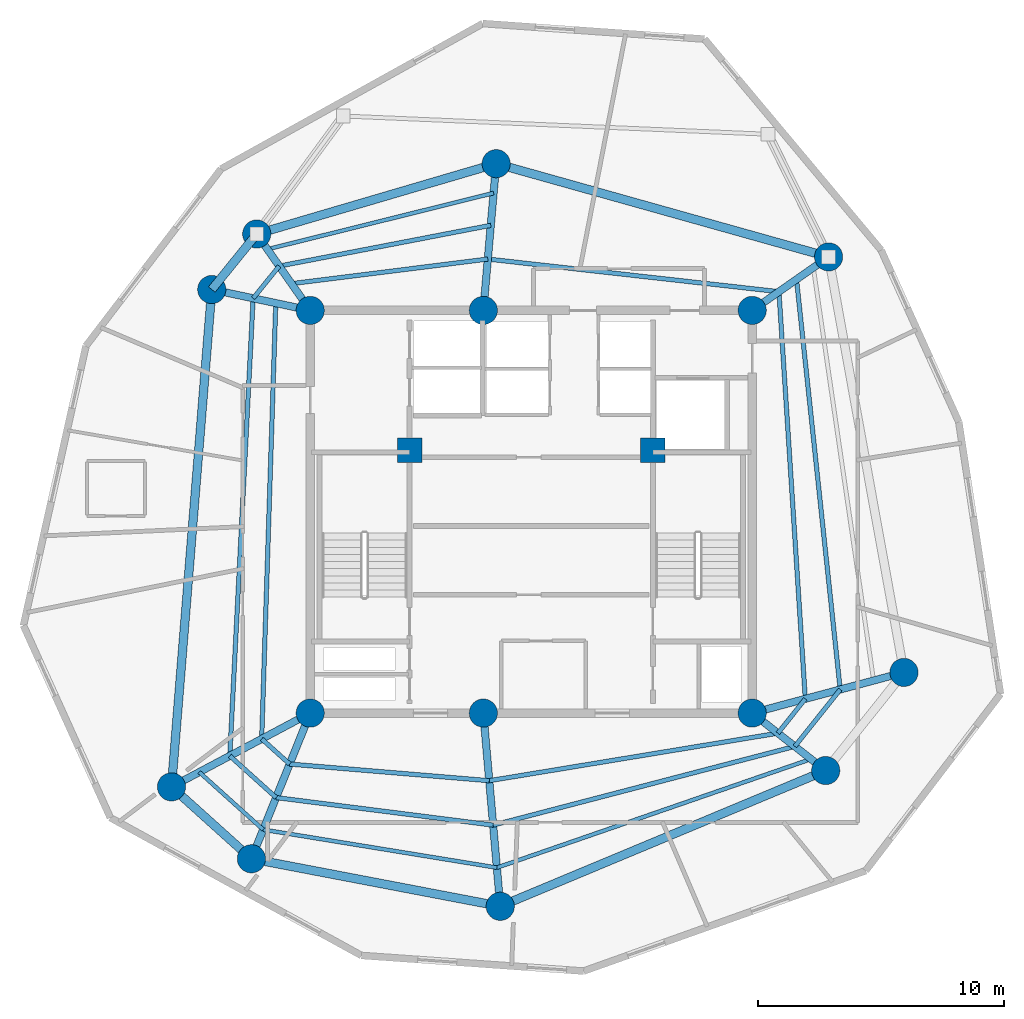
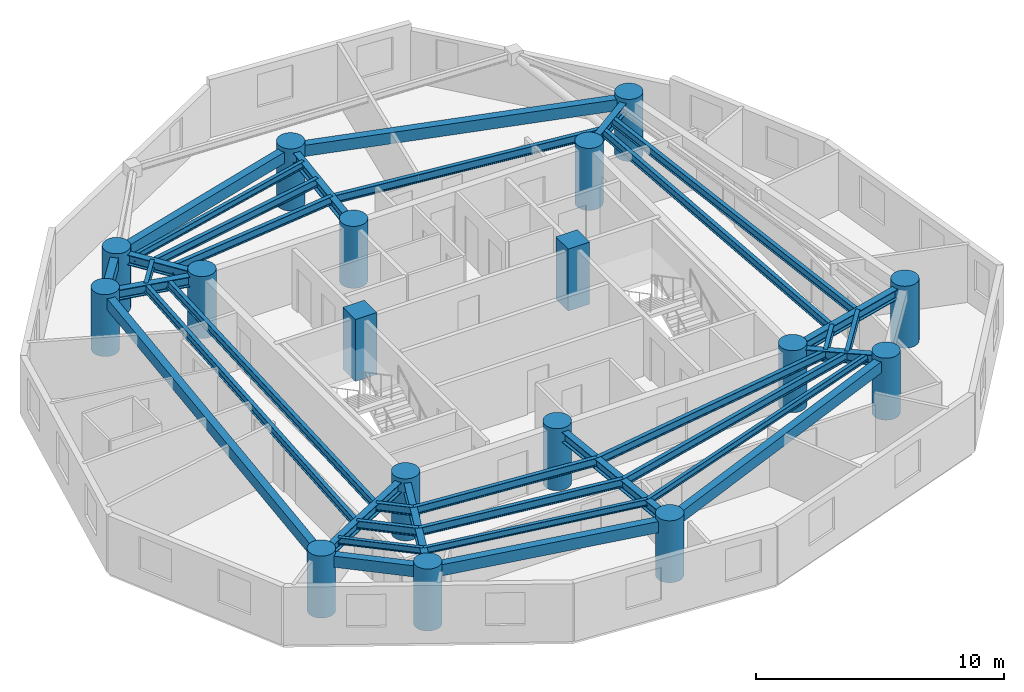
# One storey, part 1 of 7: 36 beams, 17 columns.
"""IFC4 building model written with IfcOpenShell, lengths in metres."""

from ifc_helpers import new_model, si_unit, direction, frame, origin, origin_with_axes, origin_2d, place, context, subcontext, project, spatial, rectangle, circle, i_section, extrude, source, transform, mapped, material, material_profile, profile_set, type_object, element, save


model = new_model("IFC4")

# Units and contexts
model_context = context("Model", 3, precision=1e-05, world=origin(), true_north=direction((0.0, 1.0)))
body_context = subcontext(model_context, "Body", "Model", "MODEL_VIEW")
ifc_project = project(units=[si_unit("LENGTHUNIT", "METRE"), si_unit("AREAUNIT", "SQUARE_METRE"), si_unit("VOLUMEUNIT", "CUBIC_METRE"), si_unit("PLANEANGLEUNIT", "RADIAN"), si_unit("MASSUNIT", "GRAM", prefix="KILO")], contexts=[model_context])

# Site, building, storey
site_placement = place(None, origin())
site = spatial("IfcSite", under=ifc_project, at=site_placement, CompositionType="ELEMENT")
building_placement = place(site_placement, origin())
building = spatial("IfcBuilding", under=site, at=building_placement, Name="Karkom Vertical University and Central Library", CompositionType="ELEMENT")
storey_placement = place(building_placement, frame((0.0, 0.0, 247.39990234375)))
storey = spatial("IfcBuildingStorey", under=building, at=storey_placement, Name="L73", CompositionType="ELEMENT", Elevation=247.39990234375)

# Columns
ifc_material_1 = material(Name="Concrete C50/60", Category="concrete")
ifc_material_profile_1 = material_profile(ifc_material_1, rectangle(XDim=1.0, YDim=1.0, at=origin_2d()), Name="RC-1000x1000")
ifc_profile_set_1 = profile_set([ifc_material_profile_1], Name="Concrete C50/60")
column_type_1 = type_object("IfcColumnType", Name="STR-COL-C-CC2", PredefinedType="COLUMN", material=ifc_profile_set_1)
shared_shape_1 = source(origin_with_axes(), body_context, "Body", "SweptSolid", [
    extrude(rectangle(XDim=1.0, YDim=1.0, at=origin_2d()), origin(), (0.0, 0.0, 1.0), 3.050048828125),
])
for number, where, z_axis, x_axis, name in (
    (1, (23.550048828125, 29.0, 0.0), (0.0, 0.0, 1.0), (1.0, 0.0, 0.0), "Level 73 Core Node Column CC-1"),
    (2, (33.449951171875, 29.0, 0.0), (0.0, 0.0, 1.0), (1.0, 0.0, 0.0), "Level 73 Core Node Column CC-2"),
):
    element("IfcColumn", number, at=place(storey_placement, frame(where, z_axis=z_axis, x_axis=x_axis)), inside=storey, type_object=column_type_1, Name=name, PredefinedType="COLUMN", context=body_context, shape_type="MappedRepresentation", body=[
        mapped(shared_shape_1, transform((0.0, 0.0, 0.0), scale=1.0)),
    ])
ifc_material_2 = material(Name="Concrete C45/55", Category="concrete")
ifc_material_profile_2 = material_profile(ifc_material_2, circle(Radius=0.574951171875, at=origin_2d()), Name="CFT-D1150")
ifc_profile_set_2 = profile_set([ifc_material_profile_2], Name="Concrete C45/55")
column_type_2 = type_object("IfcColumnType", Name="STR-COL-C-SC5", PredefinedType="COLUMN", material=ifc_profile_set_2)
shared_shape_2 = source(origin_with_axes(), body_context, "Body", "SweptSolid", [
    extrude(circle(Radius=0.574951171875, at=origin_2d()), origin(), (0.0, 0.0, 1.0), 3.050048828125),
])
for number, where, z_axis, x_axis, name in (
    (3, (19.5, 18.300048828125, 0.0), (0.0, 0.0, 1.0), (1.0, 0.0, 0.0), "Level 73 Spine Mega-Column SC-1"),
    (4, (26.550048828125, 18.300048828125, 0.0), (0.0, 0.0, 1.0), (1.0, 0.0, 0.0), "Level 73 Spine Mega-Column SC-2"),
    (5, (37.5, 18.300048828125, 0.0), (0.0, 0.0, 1.0), (1.0, 0.0, 0.0), "Level 73 Spine Mega-Column SC-3"),
    (6, (19.5, 34.699951171875, 0.0), (0.0, 0.0, 1.0), (1.0, 0.0, 0.0), "Level 73 Spine Mega-Column SC-4"),
    (7, (26.550048828125, 34.699951171875, 0.0), (0.0, 0.0, 1.0), (1.0, 0.0, 0.0), "Level 73 Spine Mega-Column SC-5"),
    (8, (37.5, 34.699951171875, 0.0), (0.0, 0.0, 1.0), (1.0, 0.0, 0.0), "Level 73 Spine Mega-Column SC-6"),
    (9, (43.681884765625, 19.9560546875, 0.0), (0.0, 0.0, 1.0), (1.0, 0.0, 0.0), "Level 73 Perimeter Mega-Column Z4-PC1"),
    (10, (40.613037109375, 36.8798828125, 0.0), (0.0, 0.0, 1.0), (1.0, 0.0, 0.0), "Level 73 Perimeter Mega-Column Z4-PC2"),
    (11, (27.072998046875, 40.677001953125, 0.0), (0.0, 0.0, 1.0), (1.0, 0.0, 0.0), "Level 73 Perimeter Mega-Column Z4-PC3"),
    (12, (17.320068359375, 37.81298828125, 0.0), (0.0, 0.0, 1.0), (1.0, 0.0, 0.0), "Level 73 Perimeter Mega-Column Z4-PC4"),
    (13, (15.489990234375, 35.552001953125, 0.0), (0.0, 0.0, 1.0), (1.0, 0.0, 0.0), "Level 73 Perimeter Mega-Column Z4-PC5"),
    (14, (13.84912109375, 15.294921875, 0.0), (0.0, 0.0, 1.0), (1.0, 0.0, 0.0), "Level 73 Perimeter Mega-Column Z4-PC6"),
    (15, (17.10302734375, 12.365966796875, 0.0), (0.0, 0.0, 1.0), (1.0, 0.0, 0.0), "Level 73 Perimeter Mega-Column Z4-PC7"),
    (16, (27.239013671875, 10.429931640625, 0.0), (0.0, 0.0, 1.0), (1.0, 0.0, 0.0), "Level 73 Perimeter Mega-Column Z4-PC8"),
    (17, (40.493896484375, 15.9599609375, 0.0), (0.0, 0.0, 1.0), (1.0, 0.0, 0.0), "Level 73 Perimeter Mega-Column Z4-PC9"),
):
    element("IfcColumn", number, at=place(storey_placement, frame(where, z_axis=z_axis, x_axis=x_axis)), inside=storey, type_object=column_type_2, Name=name, PredefinedType="COLUMN", context=body_context, shape_type="MappedRepresentation", body=[
        mapped(shared_shape_2, transform((0.0, 0.0, 0.0), scale=1.0)),
    ])

# Beams
ifc_material_3 = material(Name="Precast concrete C45/55", Category="concrete")
ifc_material_profile_3 = material_profile(ifc_material_3, rectangle(XDim=0.35009765625, YDim=0.550048828125, at=origin_2d()), Name="SPB-350x550")
ifc_profile_set_3 = profile_set([ifc_material_profile_3], Name="Precast concrete C45/55")
beam_type_1 = type_object("IfcBeamType", Name="STR-BM-SP-2", PredefinedType="SPANDREL", material=ifc_profile_set_3)
shared_shape_3 = source(origin_with_axes(), body_context, "Body", "SweptSolid", [
    extrude(rectangle(XDim=0.35009765625, YDim=0.550048828125, at=origin_2d()), origin(), (0.0, 0.0, 1.0), 14.0625),
])
beam_1_placement = place(storey_placement, frame((40.613037109375, 36.8798828125, 2.5751953125), z_axis=(-0.962854853531, 0.270019501207, 0.0), x_axis=(-0.270019501207, -0.962854853531, 0.0)))
element("IfcBeam", 18, at=beam_1_placement, inside=storey, type_object=beam_type_1, Name="Level 73 Perimeter Spandrel Beam 02", PredefinedType="SPANDREL", context=body_context, shape_type="MappedRepresentation", body=[
    mapped(shared_shape_3, transform((0.0, 0.0, 0.0), scale=1.0)),
])
shared_shape_4 = source(origin_with_axes(), body_context, "Body", "SweptSolid", [
    extrude(rectangle(XDim=0.35009765625, YDim=0.550048828125, at=origin_2d()), origin(), (0.0, 0.0, 1.0), 10.164794921875),
])
beam_2_placement = place(storey_placement, frame((27.072998046875, 40.677001953125, 2.5751953125), z_axis=(-0.959485124536, -0.281759286971, 0.0), x_axis=(0.281759286971, -0.959485124536, 0.0)))
element("IfcBeam", 19, at=beam_2_placement, inside=storey, type_object=beam_type_1, Name="Level 73 Perimeter Spandrel Beam 03", PredefinedType="SPANDREL", context=body_context, shape_type="MappedRepresentation", body=[
    mapped(shared_shape_4, transform((0.0, 0.0, 0.0), scale=1.0)),
])
shared_shape_5 = source(origin_with_axes(), body_context, "Body", "SweptSolid", [
    extrude(rectangle(XDim=0.35009765625, YDim=0.550048828125, at=origin_2d()), origin(), (0.0, 0.0, 1.0), 2.908935546875),
])
beam_3_placement = place(storey_placement, frame((17.320068359375, 37.81298828125, 2.5751953125), z_axis=(-0.629147523747, -0.777285914811, 0.0), x_axis=(0.777285914811, -0.629147523747, 0.0)))
element("IfcBeam", 20, at=beam_3_placement, inside=storey, type_object=beam_type_1, Name="Level 73 Perimeter Spandrel Beam 04", PredefinedType="SPANDREL", context=body_context, shape_type="MappedRepresentation", body=[
    mapped(shared_shape_5, transform((0.0, 0.0, 0.0), scale=1.0)),
])
shared_shape_6 = source(origin_with_axes(), body_context, "Body", "SweptSolid", [
    extrude(rectangle(XDim=0.35009765625, YDim=0.550048828125, at=origin_2d()), origin(), (0.0, 0.0, 1.0), 20.323486328125),
])
beam_4_placement = place(storey_placement, frame((15.489990234375, 35.552001953125, 2.5751953125), z_axis=(-0.080737811681, -0.996735373991, 0.0), x_axis=(0.996735373991, -0.080737811681, 0.0)))
element("IfcBeam", 21, at=beam_4_placement, inside=storey, type_object=beam_type_1, Name="Level 73 Perimeter Spandrel Beam 05", PredefinedType="SPANDREL", context=body_context, shape_type="MappedRepresentation", body=[
    mapped(shared_shape_6, transform((0.0, 0.0, 0.0), scale=1.0)),
])
shared_shape_7 = source(origin_with_axes(), body_context, "Body", "SweptSolid", [
    extrude(rectangle(XDim=0.35009765625, YDim=0.550048828125, at=origin_2d()), origin(), (0.0, 0.0, 1.0), 4.3779296875),
])
beam_5_placement = place(storey_placement, frame((13.84912109375, 15.294921875, 2.5751953125), z_axis=(0.743244232405, -0.669020187287, 0.0), x_axis=(0.669020187287, 0.743244232405, 0.0)))
element("IfcBeam", 22, at=beam_5_placement, inside=storey, type_object=beam_type_1, Name="Level 73 Perimeter Spandrel Beam 06", PredefinedType="SPANDREL", context=body_context, shape_type="MappedRepresentation", body=[
    mapped(shared_shape_7, transform((0.0, 0.0, 0.0), scale=1.0)),
])
shared_shape_8 = source(origin_with_axes(), body_context, "Body", "SweptSolid", [
    extrude(rectangle(XDim=0.35009765625, YDim=0.550048828125, at=origin_2d()), origin(), (0.0, 0.0, 1.0), 10.3193359375),
])
beam_6_placement = place(storey_placement, frame((17.10302734375, 12.365966796875, 2.5751953125), z_axis=(0.982242767385, -0.187614354249, 0.0), x_axis=(0.187614354249, 0.982242767385, 0.0)))
element("IfcBeam", 23, at=beam_6_placement, inside=storey, type_object=beam_type_1, Name="Level 73 Perimeter Spandrel Beam 07", PredefinedType="SPANDREL", context=body_context, shape_type="MappedRepresentation", body=[
    mapped(shared_shape_8, transform((0.0, 0.0, 0.0), scale=1.0)),
])
shared_shape_9 = source(origin_with_axes(), body_context, "Body", "SweptSolid", [
    extrude(rectangle(XDim=0.35009765625, YDim=0.550048828125, at=origin_2d()), origin(), (0.0, 0.0, 1.0), 14.3623046875),
])
beam_7_placement = place(storey_placement, frame((27.239013671875, 10.429931640625, 2.5751953125), z_axis=(0.922899796194, 0.385040213725, 0.0), x_axis=(-0.385040213725, 0.922899796194, 0.0)))
element("IfcBeam", 24, at=beam_7_placement, inside=storey, type_object=beam_type_1, Name="Level 73 Perimeter Spandrel Beam 08", PredefinedType="SPANDREL", context=body_context, shape_type="MappedRepresentation", body=[
    mapped(shared_shape_9, transform((0.0, 0.0, 0.0), scale=1.0)),
])
ifc_material_4 = material(Name="Steel S355", Category="steel")
ifc_material_profile_4 = material_profile(ifc_material_4, i_section(OverallWidth=0.179931640625, OverallDepth=0.39990234375, WebThickness=0.008544921875, FlangeThickness=0.013427734375, FilletRadius=0.02099609375, at=origin_2d()), Name="IPE 400")
ifc_profile_set_4 = profile_set([ifc_material_profile_4], Name="Steel S355")
beam_type_2 = type_object("IfcBeamType", Name="STR-BM-SB-IPE400", PredefinedType="BEAM", material=ifc_profile_set_4)
shared_shape_10 = source(origin_with_axes(), body_context, "Body", "SweptSolid", [
    extrude(i_section(OverallWidth=0.179931640625, OverallDepth=0.39990234375, WebThickness=0.008544921875, FlangeThickness=0.013427734375, FilletRadius=0.02099609375, at=origin_2d()), origin(), (0.0, 0.0, 1.0), 16.617919921875),
])
beam_8_placement = place(storey_placement, frame((39.663818359375, 18.879638671875, 2.650146484375), z_axis=(-0.064641848008, 0.997908528617, 0.0), x_axis=(-0.997908528617, -0.064641848008, 0.0)))
element("IfcBeam", 25, at=beam_8_placement, inside=storey, type_object=beam_type_2, Name="Level 73 Secondary Composite Floor Beam 1.01", PredefinedType="BEAM", context=body_context, shape_type="MappedRepresentation", body=[
    mapped(shared_shape_10, transform((0.0, 0.0, 0.0), scale=1.0)),
])
shared_shape_11 = source(origin_with_axes(), body_context, "Body", "SweptSolid", [
    extrude(i_section(OverallWidth=0.179931640625, OverallDepth=0.39990234375, WebThickness=0.008544921875, FlangeThickness=0.013427734375, FilletRadius=0.02099609375, at=origin_2d()), origin(), (0.0, 0.0, 1.0), 11.9306640625),
])
beam_9_placement = place(storey_placement, frame((38.589599609375, 35.462890625, 2.650146484375), z_axis=(-0.993775454886, 0.11140172919, 0.0), x_axis=(-0.11140172919, -0.993775454886, 0.0)))
element("IfcBeam", 26, at=beam_9_placement, inside=storey, type_object=beam_type_2, Name="Level 73 Secondary Composite Floor Beam 1.02", PredefinedType="BEAM", context=body_context, shape_type="MappedRepresentation", body=[
    mapped(shared_shape_11, transform((0.0, 0.0, 0.0), scale=1.0)),
])
shared_shape_12 = source(origin_with_axes(), body_context, "Body", "SweptSolid", [
    extrude(i_section(OverallWidth=0.179931640625, OverallDepth=0.39990234375, WebThickness=0.008544921875, FlangeThickness=0.013427734375, FilletRadius=0.02099609375, at=origin_2d()), origin(), (0.0, 0.0, 1.0), 8.05859375),
])
beam_10_placement = place(storey_placement, frame((26.733154296875, 36.7919921875, 2.650146484375), z_axis=(-0.99223306826, -0.124392677646, 0.0), x_axis=(0.124392677646, -0.99223306826, 0.0)))
element("IfcBeam", 27, at=beam_10_placement, inside=storey, type_object=beam_type_2, Name="Level 73 Secondary Composite Floor Beam 1.03", PredefinedType="BEAM", context=body_context, shape_type="MappedRepresentation", body=[
    mapped(shared_shape_12, transform((0.0, 0.0, 0.0), scale=1.0)),
])
shared_shape_13 = source(origin_with_axes(), body_context, "Body", "SweptSolid", [
    extrude(i_section(OverallWidth=0.179931640625, OverallDepth=0.39990234375, WebThickness=0.008544921875, FlangeThickness=0.013427734375, FilletRadius=0.02099609375, at=origin_2d()), origin(), (0.0, 0.0, 1.0), 17.75927734375),
])
beam_11_placement = place(storey_placement, frame((18.096435546875, 34.998291015625, 2.650146484375), z_axis=(-0.032333437334, -0.999477137723, 0.0), x_axis=(0.999477137723, -0.032333437334, 0.0)))
element("IfcBeam", 28, at=beam_11_placement, inside=storey, type_object=beam_type_2, Name="Level 73 Secondary Composite Floor Beam 1.05", PredefinedType="BEAM", context=body_context, shape_type="MappedRepresentation", body=[
    mapped(shared_shape_13, transform((0.0, 0.0, 0.0), scale=1.0)),
])
shared_shape_14 = source(origin_with_axes(), body_context, "Body", "SweptSolid", [
    extrude(i_section(OverallWidth=0.179931640625, OverallDepth=0.39990234375, WebThickness=0.008544921875, FlangeThickness=0.013427734375, FilletRadius=0.02099609375, at=origin_2d()), origin(), (0.0, 0.0, 1.0), 1.5322265625),
])
beam_12_placement = place(storey_placement, frame((17.522216796875, 17.248291015625, 2.650146484375), z_axis=(0.743183211059, -0.669087972392, 0.0), x_axis=(0.669087972392, 0.743183211059, 0.0)))
element("IfcBeam", 29, at=beam_12_placement, inside=storey, type_object=beam_type_2, Name="Level 73 Secondary Composite Floor Beam 1.06", PredefinedType="BEAM", context=body_context, shape_type="MappedRepresentation", body=[
    mapped(shared_shape_14, transform((0.0, 0.0, 0.0), scale=1.0)),
])
shared_shape_15 = source(origin_with_axes(), body_context, "Body", "SweptSolid", [
    extrude(i_section(OverallWidth=0.179931640625, OverallDepth=0.39990234375, WebThickness=0.008544921875, FlangeThickness=0.013427734375, FilletRadius=0.02099609375, at=origin_2d()), origin(), (0.0, 0.0, 1.0), 8.15869140625),
])
beam_13_placement = place(storey_placement, frame((18.660888671875, 16.22314453125, 2.650146484375), z_axis=(0.996543694183, -0.083070244882, 0.0), x_axis=(0.083070244882, 0.996543694183, 0.0)))
element("IfcBeam", 30, at=beam_13_placement, inside=storey, type_object=beam_type_2, Name="Level 73 Secondary Composite Floor Beam 1.07", PredefinedType="BEAM", context=body_context, shape_type="MappedRepresentation", body=[
    mapped(shared_shape_15, transform((0.0, 0.0, 0.0), scale=1.0)),
])
shared_shape_16 = source(origin_with_axes(), body_context, "Body", "SweptSolid", [
    extrude(i_section(OverallWidth=0.179931640625, OverallDepth=0.39990234375, WebThickness=0.008544921875, FlangeThickness=0.013427734375, FilletRadius=0.02099609375, at=origin_2d()), origin(), (0.0, 0.0, 1.0), 11.914794921875),
])
beam_14_placement = place(storey_placement, frame((26.791259765625, 15.54541015625, 2.650146484375), z_axis=(0.986717073469, 0.162448197663, 0.0), x_axis=(-0.162448197663, 0.986717073469, 0.0)))
element("IfcBeam", 31, at=beam_14_placement, inside=storey, type_object=beam_type_2, Name="Level 73 Secondary Composite Floor Beam 1.08", PredefinedType="BEAM", context=body_context, shape_type="MappedRepresentation", body=[
    mapped(shared_shape_16, transform((0.0, 0.0, 0.0), scale=1.0)),
])
shared_shape_17 = source(origin_with_axes(), body_context, "Body", "SweptSolid", [
    extrude(i_section(OverallWidth=0.179931640625, OverallDepth=0.39990234375, WebThickness=0.008544921875, FlangeThickness=0.013427734375, FilletRadius=0.02099609375, at=origin_2d()), origin(), (0.0, 0.0, 1.0), 1.789306640625),
])
beam_15_placement = place(storey_placement, frame((38.5478515625, 17.48095703125, 2.650146484375), z_axis=(0.623679519349, 0.781680150154, 0.0), x_axis=(-0.781680150154, 0.623679519349, 0.0)))
element("IfcBeam", 32, at=beam_15_placement, inside=storey, type_object=beam_type_2, Name="Level 73 Secondary Composite Floor Beam 1.09", PredefinedType="BEAM", context=body_context, shape_type="MappedRepresentation", body=[
    mapped(shared_shape_17, transform((0.0, 0.0, 0.0), scale=1.0)),
])
shared_shape_18 = source(origin_with_axes(), body_context, "Body", "SweptSolid", [
    extrude(i_section(OverallWidth=0.179931640625, OverallDepth=0.39990234375, WebThickness=0.008544921875, FlangeThickness=0.013427734375, FilletRadius=0.02099609375, at=origin_2d()), origin(), (0.0, 0.0, 1.0), 16.79833984375),
])
beam_16_placement = place(storey_placement, frame((41.085693359375, 19.260498046875, 2.650146484375), z_axis=(-0.105978377704, 0.994368434464, 0.0), x_axis=(-0.994368434464, -0.105978377704, 0.0)))
element("IfcBeam", 33, at=beam_16_placement, inside=storey, type_object=beam_type_2, Name="Level 73 Secondary Composite Floor Beam 2.01", PredefinedType="BEAM", context=body_context, shape_type="MappedRepresentation", body=[
    mapped(shared_shape_18, transform((0.0, 0.0, 0.0), scale=1.0)),
])
shared_shape_19 = source(origin_with_axes(), body_context, "Body", "SweptSolid", [
    extrude(i_section(OverallWidth=0.179931640625, OverallDepth=0.39990234375, WebThickness=0.008544921875, FlangeThickness=0.013427734375, FilletRadius=0.02099609375, at=origin_2d()), origin(), (0.0, 0.0, 1.0), 8.7763671875),
])
beam_17_placement = place(storey_placement, frame((26.853271484375, 38.166748046875, 2.650146484375), z_axis=(-0.981924209256, -0.189274528862, 0.0), x_axis=(0.189274528862, -0.981924209256, 0.0)))
element("IfcBeam", 34, at=beam_17_placement, inside=storey, type_object=beam_type_2, Name="Level 73 Secondary Composite Floor Beam 2.03", PredefinedType="BEAM", context=body_context, shape_type="MappedRepresentation", body=[
    mapped(shared_shape_19, transform((0.0, 0.0, 0.0), scale=1.0)),
])
shared_shape_20 = source(origin_with_axes(), body_context, "Body", "SweptSolid", [
    extrude(i_section(OverallWidth=0.179931640625, OverallDepth=0.39990234375, WebThickness=0.008544921875, FlangeThickness=0.013427734375, FilletRadius=0.02099609375, at=origin_2d()), origin(), (0.0, 0.0, 1.0), 1.68701171875),
])
beam_18_placement = place(storey_placement, frame((18.235595703125, 36.505615234375, 2.650146484375), z_axis=(-0.629044191861, -0.777369541908, 0.0), x_axis=(0.777369541908, -0.629044191861, 0.0)))
element("IfcBeam", 35, at=beam_18_placement, inside=storey, type_object=beam_type_2, Name="Level 73 Secondary Composite Floor Beam 2.04", PredefinedType="BEAM", context=body_context, shape_type="MappedRepresentation", body=[
    mapped(shared_shape_20, transform((0.0, 0.0, 0.0), scale=1.0)),
])
shared_shape_21 = source(origin_with_axes(), body_context, "Body", "SweptSolid", [
    extrude(i_section(OverallWidth=0.179931640625, OverallDepth=0.39990234375, WebThickness=0.008544921875, FlangeThickness=0.013427734375, FilletRadius=0.02099609375, at=origin_2d()), origin(), (0.0, 0.0, 1.0), 18.661376953125),
])
beam_19_placement = place(storey_placement, frame((17.17431640625, 35.194091796875, 2.650146484375), z_axis=(-0.051009656211, -0.998698160093, 0.0), x_axis=(0.998698160093, -0.051009656211, 0.0)))
element("IfcBeam", 36, at=beam_19_placement, inside=storey, type_object=beam_type_2, Name="Level 73 Secondary Composite Floor Beam 2.05", PredefinedType="BEAM", context=body_context, shape_type="MappedRepresentation", body=[
    mapped(shared_shape_21, transform((0.0, 0.0, 0.0), scale=1.0)),
])
shared_shape_22 = source(origin_with_axes(), body_context, "Body", "SweptSolid", [
    extrude(i_section(OverallWidth=0.179931640625, OverallDepth=0.39990234375, WebThickness=0.008544921875, FlangeThickness=0.013427734375, FilletRadius=0.02099609375, at=origin_2d()), origin(), (0.0, 0.0, 1.0), 2.5390625),
])
beam_20_placement = place(storey_placement, frame((16.222412109375, 16.55712890625, 2.650146484375), z_axis=(0.743246334517, -0.669017851949, 0.0), x_axis=(0.669017851949, 0.743246334517, 0.0)))
element("IfcBeam", 37, at=beam_20_placement, inside=storey, type_object=beam_type_2, Name="Level 73 Secondary Composite Floor Beam 2.06", PredefinedType="BEAM", context=body_context, shape_type="MappedRepresentation", body=[
    mapped(shared_shape_22, transform((0.0, 0.0, 0.0), scale=1.0)),
])
shared_shape_23 = source(origin_with_axes(), body_context, "Body", "SweptSolid", [
    extrude(i_section(OverallWidth=0.179931640625, OverallDepth=0.39990234375, WebThickness=0.008544921875, FlangeThickness=0.013427734375, FilletRadius=0.02099609375, at=origin_2d()), origin(), (0.0, 0.0, 1.0), 8.9111328125),
])
beam_21_placement = place(storey_placement, frame((18.109619140625, 14.8583984375, 2.650146484375), z_axis=(0.992026771403, -0.126027317751, 0.0), x_axis=(0.126027317751, 0.992026771403, 0.0)))
element("IfcBeam", 38, at=beam_21_placement, inside=storey, type_object=beam_type_2, Name="Level 73 Secondary Composite Floor Beam 2.07", PredefinedType="BEAM", context=body_context, shape_type="MappedRepresentation", body=[
    mapped(shared_shape_23, transform((0.0, 0.0, 0.0), scale=1.0)),
])
shared_shape_24 = source(origin_with_axes(), body_context, "Body", "SweptSolid", [
    extrude(i_section(OverallWidth=0.179931640625, OverallDepth=0.39990234375, WebThickness=0.008544921875, FlangeThickness=0.013427734375, FilletRadius=0.02099609375, at=origin_2d()), origin(), (0.0, 0.0, 1.0), 12.69873046875),
])
beam_22_placement = place(storey_placement, frame((26.94970703125, 13.7353515625, 2.650146484375), z_axis=(0.967573974729, 0.252587813301, 0.0), x_axis=(-0.252587813301, 0.967573974729, 0.0)))
element("IfcBeam", 39, at=beam_22_placement, inside=storey, type_object=beam_type_2, Name="Level 73 Secondary Composite Floor Beam 2.08", PredefinedType="BEAM", context=body_context, shape_type="MappedRepresentation", body=[
    mapped(shared_shape_24, transform((0.0, 0.0, 0.0), scale=1.0)),
])
shared_shape_25 = source(origin_with_axes(), body_context, "Body", "SweptSolid", [
    extrude(i_section(OverallWidth=0.179931640625, OverallDepth=0.39990234375, WebThickness=0.008544921875, FlangeThickness=0.013427734375, FilletRadius=0.02099609375, at=origin_2d()), origin(), (0.0, 0.0, 1.0), 2.96484375),
])
beam_23_placement = place(storey_placement, frame((39.236572265625, 16.94287109375, 2.650146484375), z_axis=(0.623670236397, 0.781687556657, 0.0), x_axis=(-0.781687556657, 0.623670236397, 0.0)))
element("IfcBeam", 40, at=beam_23_placement, inside=storey, type_object=beam_type_2, Name="Level 73 Secondary Composite Floor Beam 2.09", PredefinedType="BEAM", context=body_context, shape_type="MappedRepresentation", body=[
    mapped(shared_shape_25, transform((0.0, 0.0, 0.0), scale=1.0)),
])
ifc_material_profile_5 = material_profile(ifc_material_4, i_section(OverallWidth=0.159912109375, OverallDepth=0.330078125, WebThickness=0.007568359375, FlangeThickness=0.011474609375, FilletRadius=0.01806640625, at=origin_2d()), Name="IPE 330")
ifc_profile_set_5 = profile_set([ifc_material_profile_5], Name="Steel S355")
beam_type_3 = type_object("IfcBeamType", Name="STR-BM-SB-IPE330", PredefinedType="BEAM", material=ifc_profile_set_5)
shared_shape_26 = source(origin_with_axes(), body_context, "Body", "SweptSolid", [
    extrude(i_section(OverallWidth=0.159912109375, OverallDepth=0.330078125, WebThickness=0.007568359375, FlangeThickness=0.011474609375, FilletRadius=0.01806640625, at=origin_2d()), origin(), (0.0, 0.0, 1.0), 9.4931640625),
])
beam_24_placement = place(storey_placement, frame((26.968505859375, 39.481689453125, 2.68505859375), z_axis=(-0.970435275293, -0.241361505767, 0.0), x_axis=(0.241361505767, -0.970435275293, 0.0)))
element("IfcBeam", 41, at=beam_24_placement, inside=storey, type_object=beam_type_3, Name="Level 73 Secondary Composite Floor Beam 3.03", PredefinedType="BEAM", context=body_context, shape_type="MappedRepresentation", body=[
    mapped(shared_shape_26, transform((0.0, 0.0, 0.0), scale=1.0)),
])
shared_shape_27 = source(origin_with_axes(), body_context, "Body", "SweptSolid", [
    extrude(i_section(OverallWidth=0.159912109375, OverallDepth=0.330078125, WebThickness=0.007568359375, FlangeThickness=0.011474609375, FilletRadius=0.01806640625, at=origin_2d()), origin(), (0.0, 0.0, 1.0), 3.50244140625),
])
beam_25_placement = place(storey_placement, frame((14.979248046875, 15.89599609375, 2.68505859375), z_axis=(0.743249087562, -0.669014793437, 0.0), x_axis=(0.669014793437, 0.743249087562, 0.0)))
element("IfcBeam", 42, at=beam_25_placement, inside=storey, type_object=beam_type_3, Name="Level 73 Secondary Composite Floor Beam 3.06", PredefinedType="BEAM", context=body_context, shape_type="MappedRepresentation", body=[
    mapped(shared_shape_27, transform((0.0, 0.0, 0.0), scale=1.0)),
])
shared_shape_28 = source(origin_with_axes(), body_context, "Body", "SweptSolid", [
    extrude(i_section(OverallWidth=0.159912109375, OverallDepth=0.330078125, WebThickness=0.007568359375, FlangeThickness=0.011474609375, FilletRadius=0.01806640625, at=origin_2d()), origin(), (0.0, 0.0, 1.0), 9.64404296875),
])
beam_26_placement = place(storey_placement, frame((17.58251953125, 13.552734375, 2.68505859375), z_axis=(0.987019497924, -0.160600469231, 0.0), x_axis=(0.160600469231, 0.987019497924, 0.0)))
element("IfcBeam", 43, at=beam_26_placement, inside=storey, type_object=beam_type_3, Name="Level 73 Secondary Composite Floor Beam 3.07", PredefinedType="BEAM", context=body_context, shape_type="MappedRepresentation", body=[
    mapped(shared_shape_28, transform((0.0, 0.0, 0.0), scale=1.0)),
])
shared_shape_29 = source(origin_with_axes(), body_context, "Body", "SweptSolid", [
    extrude(i_section(OverallWidth=0.159912109375, OverallDepth=0.330078125, WebThickness=0.007568359375, FlangeThickness=0.011474609375, FilletRadius=0.01806640625, at=origin_2d()), origin(), (0.0, 0.0, 1.0), 13.537353515625),
])
beam_27_placement = place(storey_placement, frame((27.101318359375, 12.00390625, 2.68505859375), z_axis=(0.945091088216, 0.32680703018, 0.0), x_axis=(-0.32680703018, 0.945091088216, 0.0)))
element("IfcBeam", 44, at=beam_27_placement, inside=storey, type_object=beam_type_3, Name="Level 73 Secondary Composite Floor Beam 3.08", PredefinedType="BEAM", context=body_context, shape_type="MappedRepresentation", body=[
    mapped(shared_shape_29, transform((0.0, 0.0, 0.0), scale=1.0)),
])
ifc_material_profile_6 = material_profile(ifc_material_4, i_section(OverallWidth=0.300048828125, OverallDepth=0.5, WebThickness=0.014404296875, FlangeThickness=0.028076171875, FilletRadius=0.027099609375, at=origin_2d()), Name="HE 500 B")
ifc_profile_set_6 = profile_set([ifc_material_profile_6], Name="Steel S355")
beam_type_4 = type_object("IfcBeamType", Name="STR-BM-SB-HE500", PredefinedType="USERDEFINED", material=ifc_profile_set_6)
shared_shape_30 = source(origin_with_axes(), body_context, "Body", "SweptSolid", [
    extrude(i_section(OverallWidth=0.300048828125, OverallDepth=0.5, WebThickness=0.014404296875, FlangeThickness=0.028076171875, FilletRadius=0.027099609375, at=origin_2d()), origin(), (0.0, 0.0, 1.0), 6.39990234375),
])
for number, where, z_axis, x_axis, name in (
    (45, (37.5, 18.300048828125, 2.60009765625), (0.965942432948, 0.258757060254, 0.0), (-0.258757060254, 0.965942432948, 0.0), "Level 73 Radial Frame Girder 01"),
    (46, (19.5, 18.300048828125, 2.60009765625), (-0.374532429749, -0.927213815183, 0.0), (0.927213815183, -0.374532429749, 0.0), "Level 73 Radial Frame Girder 07"),
):
    element("IfcBeam", number, at=place(storey_placement, frame(where, z_axis=z_axis, x_axis=x_axis)), inside=storey, type_object=beam_type_4, Name=name, ObjectType="GIRDER", PredefinedType="USERDEFINED", context=body_context, shape_type="MappedRepresentation", body=[
        mapped(shared_shape_30, transform((0.0, 0.0, 0.0), scale=1.0)),
    ])
shared_shape_31 = source(origin_with_axes(), body_context, "Body", "SweptSolid", [
    extrude(i_section(OverallWidth=0.300048828125, OverallDepth=0.5, WebThickness=0.014404296875, FlangeThickness=0.028076171875, FilletRadius=0.027099609375, at=origin_2d()), origin(), (0.0, 0.0, 1.0), 3.80029296875),
])
for number, where, z_axis, x_axis, name in (
    (47, (37.5, 34.699951171875, 2.60009765625), (0.819132313625, 0.573604613627, 0.0), (-0.573604613627, 0.819132313625, 0.0), "Level 73 Radial Frame Girder 02"),
    (48, (19.5, 34.699951171875, 2.60009765625), (-0.573604613627, 0.819132313625, 0.0), (-0.819132313625, -0.573604613627, 0.0), "Level 73 Radial Frame Girder 04"),
):
    element("IfcBeam", number, at=place(storey_placement, frame(where, z_axis=z_axis, x_axis=x_axis)), inside=storey, type_object=beam_type_4, Name=name, ObjectType="GIRDER", PredefinedType="USERDEFINED", context=body_context, shape_type="MappedRepresentation", body=[
        mapped(shared_shape_31, transform((0.0, 0.0, 0.0), scale=1.0)),
    ])
shared_shape_32 = source(origin_with_axes(), body_context, "Body", "SweptSolid", [
    extrude(i_section(OverallWidth=0.300048828125, OverallDepth=0.5, WebThickness=0.014404296875, FlangeThickness=0.028076171875, FilletRadius=0.027099609375, at=origin_2d()), origin(), (0.0, 0.0, 1.0), 6.0),
])
beam_28_placement = place(storey_placement, frame((26.550048828125, 34.699951171875, 2.60009765625), z_axis=(0.087159883478, 0.996194335816, 0.0), x_axis=(-0.996194335816, 0.087159883478, 0.0)))
element("IfcBeam", 49, at=beam_28_placement, inside=storey, type_object=beam_type_4, Name="Level 73 Radial Frame Girder 03", ObjectType="GIRDER", PredefinedType="USERDEFINED", context=body_context, shape_type="MappedRepresentation", body=[
    mapped(shared_shape_32, transform((0.0, 0.0, 0.0), scale=1.0)),
])
shared_shape_33 = source(origin_with_axes(), body_context, "Body", "SweptSolid", [
    extrude(i_section(OverallWidth=0.300048828125, OverallDepth=0.5, WebThickness=0.014404296875, FlangeThickness=0.028076171875, FilletRadius=0.027099609375, at=origin_2d()), origin(), (0.0, 0.0, 1.0), 4.099609375),
])
beam_29_placement = place(storey_placement, frame((19.5, 34.699951171875, 2.60009765625), z_axis=(-0.978162634602, 0.207840949453, 0.0), x_axis=(-0.207840949453, -0.978162634602, 0.0)))
element("IfcBeam", 50, at=beam_29_placement, inside=storey, type_object=beam_type_4, Name="Level 73 Radial Frame Girder 05", ObjectType="GIRDER", PredefinedType="USERDEFINED", context=body_context, shape_type="MappedRepresentation", body=[
    mapped(shared_shape_33, transform((0.0, 0.0, 0.0), scale=1.0)),
])
shared_shape_34 = source(origin_with_axes(), body_context, "Body", "SweptSolid", [
    extrude(i_section(OverallWidth=0.300048828125, OverallDepth=0.5, WebThickness=0.014404296875, FlangeThickness=0.028076171875, FilletRadius=0.027099609375, at=origin_2d()), origin(), (0.0, 0.0, 1.0), 6.400146484375),
])
beam_30_placement = place(storey_placement, frame((19.5, 18.300048828125, 2.60009765625), z_axis=(-0.882915120857, -0.469532628645, 0.0), x_axis=(0.469532628645, -0.882915120857, 0.0)))
element("IfcBeam", 51, at=beam_30_placement, inside=storey, type_object=beam_type_4, Name="Level 73 Radial Frame Girder 06", ObjectType="GIRDER", PredefinedType="USERDEFINED", context=body_context, shape_type="MappedRepresentation", body=[
    mapped(shared_shape_34, transform((0.0, 0.0, 0.0), scale=1.0)),
])
shared_shape_35 = source(origin_with_axes(), body_context, "Body", "SweptSolid", [
    extrude(i_section(OverallWidth=0.300048828125, OverallDepth=0.5, WebThickness=0.014404296875, FlangeThickness=0.028076171875, FilletRadius=0.027099609375, at=origin_2d()), origin(), (0.0, 0.0, 1.0), 7.900146484375),
])
beam_31_placement = place(storey_placement, frame((26.550048828125, 18.300048828125, 2.60009765625), z_axis=(0.087208352312, -0.996190093951, 0.0), x_axis=(0.996190093951, 0.087208352312, 0.0)))
element("IfcBeam", 52, at=beam_31_placement, inside=storey, type_object=beam_type_4, Name="Level 73 Radial Frame Girder 08", ObjectType="GIRDER", PredefinedType="USERDEFINED", context=body_context, shape_type="MappedRepresentation", body=[
    mapped(shared_shape_35, transform((0.0, 0.0, 0.0), scale=1.0)),
])
shared_shape_36 = source(origin_with_axes(), body_context, "Body", "SweptSolid", [
    extrude(i_section(OverallWidth=0.300048828125, OverallDepth=0.5, WebThickness=0.014404296875, FlangeThickness=0.028076171875, FilletRadius=0.027099609375, at=origin_2d()), origin(), (0.0, 0.0, 1.0), 3.7998046875),
])
beam_32_placement = place(storey_placement, frame((37.5, 18.300048828125, 2.60009765625), z_axis=(0.787883114707, -0.61582481077, 0.0), x_axis=(0.61582481077, 0.787883114707, 0.0)))
element("IfcBeam", 53, at=beam_32_placement, inside=storey, type_object=beam_type_4, Name="Level 73 Radial Frame Girder 09", ObjectType="GIRDER", PredefinedType="USERDEFINED", context=body_context, shape_type="MappedRepresentation", body=[
    mapped(shared_shape_36, transform((0.0, 0.0, 0.0), scale=1.0)),
])

save(model, "model.ifc")
